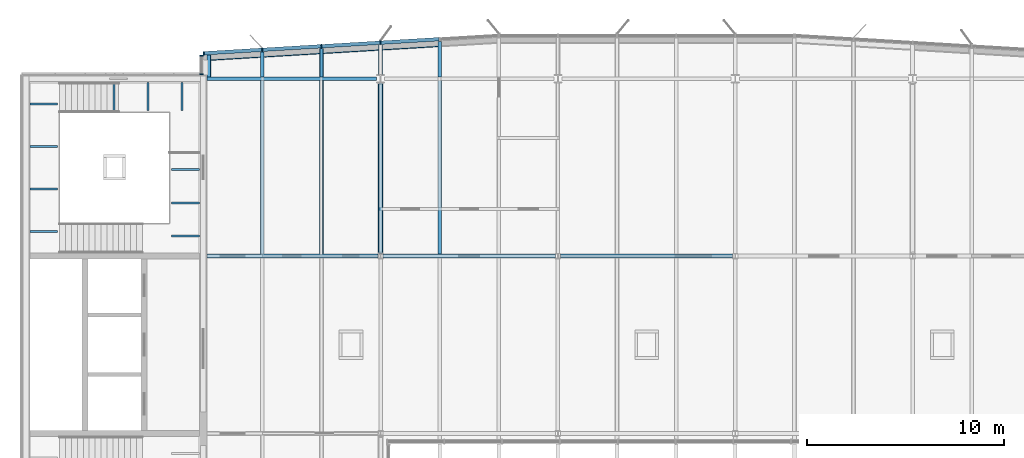
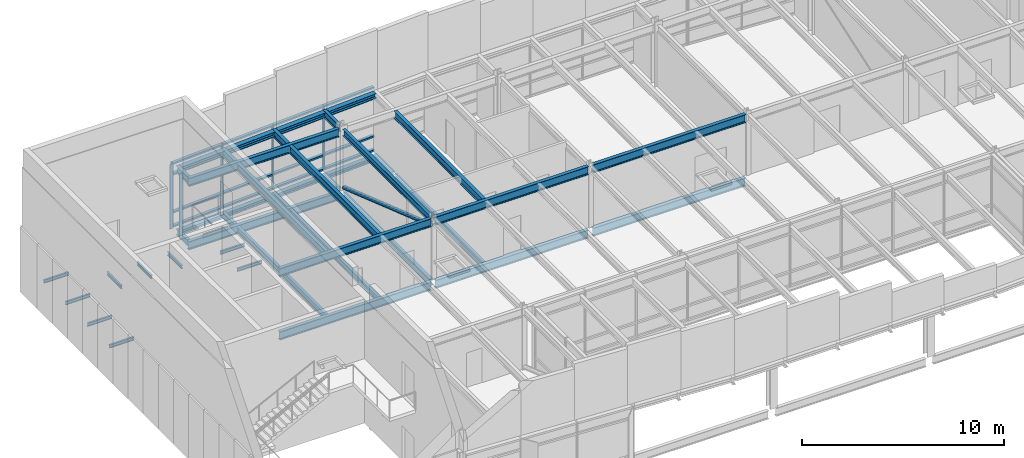
# One storey, part 4 of 23: 43 beams, 23 members, 2 elements without a shape of their own.
"""IFC4 building model written with IfcOpenShell, lengths in metres."""

from ifc_helpers import new_model, si_unit, direction, frame, origin, origin_2d, place, context, subcontext, project, spatial, rectangle, hollow_circle, i_section, extrude, material, material_profile, profile_set, type_object, element, aggregate, save


model = new_model("IFC4")

# Units and contexts
model_context = context("Model", 3, precision=1e-05, world=origin(), true_north=direction((0.0, 1.0)))
body_context = subcontext(model_context, "Body", "Model", "MODEL_VIEW")
ifc_project = project(units=[si_unit("LENGTHUNIT", "METRE"), si_unit("AREAUNIT", "SQUARE_METRE"), si_unit("VOLUMEUNIT", "CUBIC_METRE"), si_unit("PLANEANGLEUNIT", "RADIAN"), si_unit("MASSUNIT", "GRAM", prefix="KILO")], contexts=[model_context])

# Site, building, storey
site_placement = place(None, origin())
site = spatial("IfcSite", under=ifc_project, at=site_placement, CompositionType="ELEMENT")
building_placement = place(site_placement, origin())
building = spatial("IfcBuilding", under=site, at=building_placement, Name="Azimuth Sports and Learning Centre", CompositionType="ELEMENT")
storey_placement = place(building_placement, frame((0.0, 0.0, 75.300048828125)))
storey = spatial("IfcBuildingStorey", under=building, at=storey_placement, Name="L17", CompositionType="ELEMENT", Elevation=75.300048828125)

# Beams
ifc_material_1 = material(Name="Steel S355", Category="steel")
ifc_material_profile_1 = material_profile(ifc_material_1, i_section(OverallWidth=0.10009765625, OverallDepth=0.199951171875, WebThickness=0.005615234375, FlangeThickness=0.008544921875, FilletRadius=0.011962890625, at=origin_2d()), Name="IPE 200")
ifc_profile_set_1 = profile_set([ifc_material_profile_1], Name="Steel S355")
beam_type_1 = type_object("IfcBeamType", Name="Beam IPE 200", PredefinedType="BEAM", material=ifc_profile_set_1)
for number, where, z_axis, x_axis, name in (
    (1, (58.473388671875, 116.800048828125, -0.300048828125), (0.0, -1.0, 0.0), (1.0, 0.0, 0.0), "Landing bracket W2 L17 347"),
    (2, (60.199951171875, 116.800048828125, -0.300048828125), (0.0, -1.0, 0.0), (1.0, 0.0, 0.0), "Landing bracket W2 L17 348"),
    (3, (61.9267578125, 116.800048828125, -0.300048828125), (0.0, -1.0, 0.0), (1.0, 0.0, 0.0), "Landing bracket W2 L17 349"),
    (4, (54.199951171875, 109.23876953125, 1.349853515625), (1.0, 0.0, 0.0), (0.0, 1.0, 0.0), "Landing bracket W2 L17 350"),
    (5, (54.199951171875, 111.396240234375, 1.349853515625), (1.0, 0.0, 0.0), (0.0, 1.0, 0.0), "Landing bracket W2 L17 351"),
    (6, (54.199951171875, 113.5537109375, 1.349853515625), (1.0, 0.0, 0.0), (0.0, 1.0, 0.0), "Landing bracket W2 L17 352"),
    (7, (54.199951171875, 115.711181640625, 1.349853515625), (1.0, 0.0, 0.0), (0.0, 1.0, 0.0), "Landing bracket W2 L17 353"),
    (8, (62.800048828125, 109.00830078125, 3.599853515625), (-1.0, 0.0, 0.0), (0.0, -1.0, 0.0), "Landing bracket W2 L17 354"),
    (9, (62.800048828125, 110.705078125, 3.599853515625), (-1.0, 0.0, 0.0), (0.0, -1.0, 0.0), "Landing bracket W2 L17 355"),
    (10, (62.800048828125, 112.401611328125, 3.599853515625), (-1.0, 0.0, 0.0), (0.0, -1.0, 0.0), "Landing bracket W2 L17 356"),
):
    element("IfcBeam", number, at=place(storey_placement, frame(where, z_axis=z_axis, x_axis=x_axis)), inside=storey, type_object=beam_type_1, Name=name, PredefinedType="BEAM", context=body_context, shape_type="SweptSolid", body=[
        extrude(i_section(OverallWidth=0.10009765625, OverallDepth=0.199951171875, WebThickness=0.005615234375, FlangeThickness=0.008544921875, FilletRadius=0.011962890625, at=origin_2d()), origin(), (0.0, 0.0, 1.0), 1.41015625),
    ])
ifc_material_2 = material(Name="Steel S355", Category="steel")
ifc_material_profile_2 = material_profile(ifc_material_2, i_section(OverallWidth=0.179931640625, OverallDepth=0.39990234375, WebThickness=0.008544921875, FlangeThickness=0.013427734375, FilletRadius=0.02099609375, at=origin_2d()), Name="IPE 400")
ifc_profile_set_2 = profile_set([ifc_material_profile_2], Name="Steel S355")
beam_type_2 = type_object("IfcBeamType", Name="Beam IPE 400", PredefinedType="BEAM", material=ifc_profile_set_2)
for number, where, z_axis, x_axis, name in (
    (11, (72.0, 108.1298828125, -0.330078125), (0.0, 1.0, 0.0), (-1.0, 0.0, 0.0), "Tower tie"),
    (12, (72.0, 108.1298828125, 3.5), (0.0, 1.0, 0.0), (-1.0, 0.0, 0.0), "Roof tie"),
):
    element("IfcBeam", number, at=place(storey_placement, frame(where, z_axis=z_axis, x_axis=x_axis)), inside=storey, type_object=beam_type_2, Name=name, PredefinedType="BEAM", context=body_context, shape_type="SweptSolid", body=[
        extrude(i_section(OverallWidth=0.179931640625, OverallDepth=0.39990234375, WebThickness=0.008544921875, FlangeThickness=0.013427734375, FilletRadius=0.02099609375, at=origin_2d()), origin(), (0.0, 0.0, 1.0), 8.652587890625),
    ])
ifc_material_3 = material(Name="Steel S355", Category="steel")
ifc_material_profile_3 = material_profile(ifc_material_3, i_section(OverallWidth=0.199951171875, OverallDepth=0.5, WebThickness=0.01025390625, FlangeThickness=0.01611328125, FilletRadius=0.02099609375, at=origin_2d()), Name="IPE 500")
ifc_profile_set_3 = profile_set([ifc_material_profile_3], Name="Steel S355")
beam_type_3 = type_object("IfcBeamType", Name="Beam IPE 500", PredefinedType="BEAM", material=ifc_profile_set_3)
beam_1_placement = place(storey_placement, frame((63.199951171875, 108.0, -0.380126953125), z_axis=(1.0, 0.0, 0.0), x_axis=(0.0, 1.0, 0.0)))
element("IfcBeam", 13, at=beam_1_placement, inside=storey, type_object=beam_type_3, Name="Tower girder L17", PredefinedType="BEAM", context=body_context, shape_type="SweptSolid", body=[
    extrude(i_section(OverallWidth=0.199951171875, OverallDepth=0.5, WebThickness=0.01025390625, FlangeThickness=0.01611328125, FilletRadius=0.02099609375, at=origin_2d()), origin(), (0.0, 0.0, 1.0), 8.670166015625),
])
for number, where, z_axis, x_axis, name in (
    (14, (72.1298828125, 108.0, -0.380126953125), (1.0, 0.0, 0.0), (0.0, 1.0, 0.0), "Tower girder L17"),
    (15, (81.1298828125, 108.0, -0.380126953125), (1.0, 0.0, 0.0), (0.0, 1.0, 0.0), "Tower girder L17"),
):
    element("IfcBeam", number, at=place(storey_placement, frame(where, z_axis=z_axis, x_axis=x_axis)), inside=storey, type_object=beam_type_3, Name=name, PredefinedType="BEAM", context=body_context, shape_type="SweptSolid", body=[
        extrude(i_section(OverallWidth=0.199951171875, OverallDepth=0.5, WebThickness=0.01025390625, FlangeThickness=0.01611328125, FilletRadius=0.02099609375, at=origin_2d()), origin(), (0.0, 0.0, 1.0), 8.740234375),
    ])
beam_2_placement = place(storey_placement, frame((63.199951171875, 117.0, -0.380126953125), z_axis=(1.0, 0.0, 0.0), x_axis=(0.0, 1.0, 0.0)))
element("IfcBeam", 16, at=beam_2_placement, inside=storey, type_object=beam_type_3, Name="Tower girder L17", PredefinedType="BEAM", context=body_context, shape_type="SweptSolid", body=[
    extrude(i_section(OverallWidth=0.199951171875, OverallDepth=0.5, WebThickness=0.01025390625, FlangeThickness=0.01611328125, FilletRadius=0.02099609375, at=origin_2d()), origin(), (0.0, 0.0, 1.0), 8.593994140625),
])
beam_3_placement = place(storey_placement, frame((63.199951171875, 108.0, 3.449951171875), z_axis=(1.0, 0.0, 0.0), x_axis=(0.0, 1.0, 0.0)))
element("IfcBeam", 17, at=beam_3_placement, inside=storey, type_object=beam_type_3, Name="Roof girder", PredefinedType="BEAM", context=body_context, shape_type="SweptSolid", body=[
    extrude(i_section(OverallWidth=0.199951171875, OverallDepth=0.5, WebThickness=0.01025390625, FlangeThickness=0.01611328125, FilletRadius=0.02099609375, at=origin_2d()), origin(), (0.0, 0.0, 1.0), 8.670166015625),
])
for number, where, z_axis, x_axis, name in (
    (18, (72.1298828125, 108.0, 3.449951171875), (1.0, 0.0, 0.0), (0.0, 1.0, 0.0), "Roof girder"),
    (19, (81.1298828125, 108.0, 3.449951171875), (1.0, 0.0, 0.0), (0.0, 1.0, 0.0), "Roof girder"),
):
    element("IfcBeam", number, at=place(storey_placement, frame(where, z_axis=z_axis, x_axis=x_axis)), inside=storey, type_object=beam_type_3, Name=name, PredefinedType="BEAM", context=body_context, shape_type="SweptSolid", body=[
        extrude(i_section(OverallWidth=0.199951171875, OverallDepth=0.5, WebThickness=0.01025390625, FlangeThickness=0.01611328125, FilletRadius=0.02099609375, at=origin_2d()), origin(), (0.0, 0.0, 1.0), 8.740234375),
    ])
beam_4_placement = place(storey_placement, frame((63.199951171875, 117.0, 3.449951171875), z_axis=(1.0, 0.0, 0.0), x_axis=(0.0, 1.0, 0.0)))
element("IfcBeam", 20, at=beam_4_placement, inside=storey, type_object=beam_type_3, Name="Roof girder", PredefinedType="BEAM", context=body_context, shape_type="SweptSolid", body=[
    extrude(i_section(OverallWidth=0.199951171875, OverallDepth=0.5, WebThickness=0.01025390625, FlangeThickness=0.01611328125, FilletRadius=0.02099609375, at=origin_2d()), origin(), (0.0, 0.0, 1.0), 8.593994140625),
])

# Member
ifc_material_4 = material(Name="Steel S355", Category="steel")
ifc_material_profile_4 = material_profile(ifc_material_4, hollow_circle(Radius=0.122314453125, WallThickness=0.012451171875, at=origin_2d()), Name="CHS 244.5x12.5")
ifc_profile_set_4 = profile_set([ifc_material_profile_4], Name="Steel S355")
member_type_1 = type_object("IfcMemberType", Name="Brace CHS 244.5x12.5", PredefinedType="BRACE", material=ifc_profile_set_4)
member_1_placement = place(storey_placement, frame((72.0, 108.149658203125, 3.130859375), z_axis=(0.0, 0.945646677599, -0.325195881194), x_axis=(-1.0, 0.0, 0.0)))
element("IfcMember", 21, at=member_1_placement, inside=storey, type_object=member_type_1, Name="Tower brace 9 L17", PredefinedType="BRACE", context=body_context, shape_type="SweptSolid", body=[
    extrude(hollow_circle(Radius=0.122314453125, WallThickness=0.012451171875, at=origin_2d()), origin(), (0.0, 0.0, 1.0), 9.108154296875),
])

# Beams
ifc_material_5 = material(Name="Steel S355", Category="steel")
ifc_material_profile_5 = material_profile(ifc_material_5, i_section(OverallWidth=0.169921875, OverallDepth=0.360107421875, WebThickness=0.008056640625, FlangeThickness=0.0126953125, FilletRadius=0.01806640625, at=origin_2d()), Name="IPE 360")
ifc_profile_set_5 = profile_set([ifc_material_profile_5], Name="Steel S355")
beam_type_4 = type_object("IfcBeamType", Name="Cantilever stub IPE 360", PredefinedType="JOIST", material=ifc_profile_set_5)
beam_5_placement = place(storey_placement, frame((63.284912109375, 117.10009765625, -0.31005859375), z_axis=(0.0, 1.0, 0.0), x_axis=(-1.0, 0.0, 0.0)))
element("IfcBeam", 22, at=beam_5_placement, inside=storey, type_object=beam_type_4, Name="Tower cantilever stub", PredefinedType="JOIST", context=body_context, shape_type="SweptSolid", body=[
    extrude(i_section(OverallWidth=0.169921875, OverallDepth=0.360107421875, WebThickness=0.008056640625, FlangeThickness=0.0126953125, FilletRadius=0.01806640625, at=origin_2d()), origin(), (0.0, 0.0, 1.0), 1.096923828125),
])
beam_6_placement = place(storey_placement, frame((66.0, 117.10009765625, -0.31005859375), z_axis=(0.0, 1.0, 0.0), x_axis=(-1.0, 0.0, 0.0)))
element("IfcBeam", 23, at=beam_6_placement, inside=storey, type_object=beam_type_4, Name="Tower cantilever stub", PredefinedType="JOIST", context=body_context, shape_type="SweptSolid", body=[
    extrude(i_section(OverallWidth=0.169921875, OverallDepth=0.360107421875, WebThickness=0.008056640625, FlangeThickness=0.0126953125, FilletRadius=0.01806640625, at=origin_2d()), origin(), (0.0, 0.0, 1.0), 1.260009765625),
])
beam_7_placement = place(storey_placement, frame((69.0, 117.10009765625, -0.31005859375), z_axis=(0.0, 1.0, 0.0), x_axis=(-1.0, 0.0, 0.0)))
element("IfcBeam", 24, at=beam_7_placement, inside=storey, type_object=beam_type_4, Name="Tower cantilever stub", PredefinedType="JOIST", context=body_context, shape_type="SweptSolid", body=[
    extrude(i_section(OverallWidth=0.169921875, OverallDepth=0.360107421875, WebThickness=0.008056640625, FlangeThickness=0.0126953125, FilletRadius=0.01806640625, at=origin_2d()), origin(), (0.0, 0.0, 1.0), 1.43994140625),
])
beam_8_placement = place(storey_placement, frame((72.0, 117.217529296875, -0.31005859375), z_axis=(0.0, 1.0, 0.0), x_axis=(-1.0, 0.0, 0.0)))
element("IfcBeam", 25, at=beam_8_placement, inside=storey, type_object=beam_type_4, Name="Tower cantilever stub", PredefinedType="JOIST", context=body_context, shape_type="SweptSolid", body=[
    extrude(i_section(OverallWidth=0.169921875, OverallDepth=0.360107421875, WebThickness=0.008056640625, FlangeThickness=0.0126953125, FilletRadius=0.01806640625, at=origin_2d()), origin(), (0.0, 0.0, 1.0), 1.50244140625),
])
beam_9_placement = place(storey_placement, frame((75.0, 117.10009765625, -0.31005859375), z_axis=(0.0, 1.0, 0.0), x_axis=(-1.0, 0.0, 0.0)))
element("IfcBeam", 26, at=beam_9_placement, inside=storey, type_object=beam_type_4, Name="Tower cantilever stub", PredefinedType="JOIST", context=body_context, shape_type="SweptSolid", body=[
    extrude(i_section(OverallWidth=0.169921875, OverallDepth=0.360107421875, WebThickness=0.008056640625, FlangeThickness=0.0126953125, FilletRadius=0.01806640625, at=origin_2d()), origin(), (0.0, 0.0, 1.0), 1.7998046875),
])
ifc_material_6 = material(Name="Steel S355", Category="steel")
ifc_material_profile_6 = material_profile(ifc_material_6, i_section(OverallWidth=0.18994140625, OverallDepth=0.449951171875, WebThickness=0.009521484375, FlangeThickness=0.0146484375, FilletRadius=0.02099609375, at=origin_2d()), Name="IPE 450")
ifc_profile_set_6 = profile_set([ifc_material_profile_6], Name="Steel S355")
beam_type_5 = type_object("IfcBeamType", Name="Cantilever stub IPE 450", PredefinedType="JOIST", material=ifc_profile_set_6)
beam_10_placement = place(storey_placement, frame((63.294921875, 117.10009765625, 3.474853515625), z_axis=(0.0, 1.0, 0.0), x_axis=(-1.0, 0.0, 0.0)))
element("IfcBeam", 27, at=beam_10_placement, inside=storey, type_object=beam_type_5, Name="Roof cantilever stub", PredefinedType="JOIST", context=body_context, shape_type="SweptSolid", body=[
    extrude(i_section(OverallWidth=0.18994140625, OverallDepth=0.449951171875, WebThickness=0.009521484375, FlangeThickness=0.0146484375, FilletRadius=0.02099609375, at=origin_2d()), origin(), (0.0, 0.0, 1.0), 1.09765625),
])
beam_11_placement = place(storey_placement, frame((66.0, 117.10009765625, 3.474853515625), z_axis=(0.0, 1.0, 0.0), x_axis=(-1.0, 0.0, 0.0)))
element("IfcBeam", 28, at=beam_11_placement, inside=storey, type_object=beam_type_5, Name="Roof cantilever stub", PredefinedType="JOIST", context=body_context, shape_type="SweptSolid", body=[
    extrude(i_section(OverallWidth=0.18994140625, OverallDepth=0.449951171875, WebThickness=0.009521484375, FlangeThickness=0.0146484375, FilletRadius=0.02099609375, at=origin_2d()), origin(), (0.0, 0.0, 1.0), 1.260009765625),
])
beam_12_placement = place(storey_placement, frame((69.0, 117.10009765625, 3.474853515625), z_axis=(0.0, 1.0, 0.0), x_axis=(-1.0, 0.0, 0.0)))
element("IfcBeam", 29, at=beam_12_placement, inside=storey, type_object=beam_type_5, Name="Roof cantilever stub", PredefinedType="JOIST", context=body_context, shape_type="SweptSolid", body=[
    extrude(i_section(OverallWidth=0.18994140625, OverallDepth=0.449951171875, WebThickness=0.009521484375, FlangeThickness=0.0146484375, FilletRadius=0.02099609375, at=origin_2d()), origin(), (0.0, 0.0, 1.0), 1.43994140625),
])
beam_13_placement = place(storey_placement, frame((72.0, 117.217529296875, 3.474853515625), z_axis=(0.0, 1.0, 0.0), x_axis=(-1.0, 0.0, 0.0)))
element("IfcBeam", 30, at=beam_13_placement, inside=storey, type_object=beam_type_5, Name="Roof cantilever stub", PredefinedType="JOIST", context=body_context, shape_type="SweptSolid", body=[
    extrude(i_section(OverallWidth=0.18994140625, OverallDepth=0.449951171875, WebThickness=0.009521484375, FlangeThickness=0.0146484375, FilletRadius=0.02099609375, at=origin_2d()), origin(), (0.0, 0.0, 1.0), 1.50244140625),
])
ifc_material_7 = material(Name="Steel S355", Category="steel")
ifc_material_profile_7 = material_profile(ifc_material_7, i_section(OverallWidth=0.260009765625, OverallDepth=0.25, WebThickness=0.007568359375, FlangeThickness=0.012451171875, FilletRadius=0.02392578125, at=origin_2d()), Name="HEA 260")
ifc_profile_set_7 = profile_set([ifc_material_profile_7], Name="Steel S355")
beam_type_6 = type_object("IfcBeamType", Name="Edge beam HEA 260", PredefinedType="SPANDREL", material=ifc_profile_set_7)
beam_14_placement = place(storey_placement, frame((63.3701171875, 118.072265625, -0.255126953125), z_axis=(0.998207363591, 0.059850307199, 0.0), x_axis=(-0.059850307199, 0.998207363591, 0.0)))
element("IfcBeam", 31, at=beam_14_placement, inside=storey, type_object=beam_type_6, Name="Tower edge beam", PredefinedType="SPANDREL", context=body_context, shape_type="SweptSolid", body=[
    extrude(i_section(OverallWidth=0.260009765625, OverallDepth=0.25, WebThickness=0.007568359375, FlangeThickness=0.012451171875, FilletRadius=0.02392578125, at=origin_2d()), origin(), (0.0, 0.0, 1.0), 2.549560546875),
])
for number, where, z_axis, x_axis, name in (
    (32, (66.0849609375, 118.235107421875, -0.255126953125), (0.998207521518, 0.059847673176, 0.0), (-0.059847673176, 0.998207521518, 0.0), "Tower edge beam"),
    (33, (69.0849609375, 118.4150390625, -0.255126953125), (0.998202373506, 0.059933475842, 0.0), (-0.059933475842, 0.998202373506, 0.0), "Tower edge beam"),
    (34, (72.0849609375, 118.59521484375, -0.255126953125), (0.998207521518, 0.059847673176, 0.0), (-0.059847673176, 0.998207521518, 0.0), "Tower edge beam"),
):
    element("IfcBeam", number, at=place(storey_placement, frame(where, z_axis=z_axis, x_axis=x_axis)), inside=storey, type_object=beam_type_6, Name=name, PredefinedType="SPANDREL", context=body_context, shape_type="SweptSolid", body=[
        extrude(i_section(OverallWidth=0.260009765625, OverallDepth=0.25, WebThickness=0.007568359375, FlangeThickness=0.012451171875, FilletRadius=0.02392578125, at=origin_2d()), origin(), (0.0, 0.0, 1.0), 2.835205078125),
    ])
ifc_material_8 = material(Name="Steel S355", Category="steel")
ifc_material_profile_8 = material_profile(ifc_material_8, i_section(OverallWidth=0.280029296875, OverallDepth=0.27001953125, WebThickness=0.008056640625, FlangeThickness=0.012939453125, FilletRadius=0.02392578125, at=origin_2d()), Name="HEA 280")
ifc_profile_set_8 = profile_set([ifc_material_profile_8], Name="Steel S355")
beam_type_7 = type_object("IfcBeamType", Name="Edge beam HEA 280", PredefinedType="SPANDREL", material=ifc_profile_set_8)
beam_15_placement = place(storey_placement, frame((63.389892578125, 118.0634765625, 3.56494140625), z_axis=(0.998205540535, 0.059880705111, 0.0), x_axis=(-0.059880705111, 0.998205540535, 0.0)))
element("IfcBeam", 35, at=beam_15_placement, inside=storey, type_object=beam_type_7, Name="Roof edge beam", PredefinedType="SPANDREL", context=body_context, shape_type="SweptSolid", body=[
    extrude(i_section(OverallWidth=0.280029296875, OverallDepth=0.27001953125, WebThickness=0.008056640625, FlangeThickness=0.012939453125, FilletRadius=0.02392578125, at=origin_2d()), origin(), (0.0, 0.0, 1.0), 2.519775390625),
])
for number, where, z_axis, x_axis, name in (
    (36, (66.094970703125, 118.2255859375, 3.56494140625), (0.998202770938, 0.059926856187, 0.0), (-0.059926856187, 0.998202770938, 0.0), "Roof edge beam"),
    (37, (69.094970703125, 118.40576171875, 3.56494140625), (0.99820795503, 0.059840442135, 0.0), (-0.059840442135, 0.99820795503, 0.0), "Roof edge beam"),
    (38, (72.094970703125, 118.585693359375, 3.56494140625), (0.998202770938, 0.059926856187, 0.0), (-0.059926856187, 0.998202770938, 0.0), "Roof edge beam"),
):
    element("IfcBeam", number, at=place(storey_placement, frame(where, z_axis=z_axis, x_axis=x_axis)), inside=storey, type_object=beam_type_7, Name=name, PredefinedType="SPANDREL", context=body_context, shape_type="SweptSolid", body=[
        extrude(i_section(OverallWidth=0.280029296875, OverallDepth=0.27001953125, WebThickness=0.008056640625, FlangeThickness=0.012939453125, FilletRadius=0.02392578125, at=origin_2d()), origin(), (0.0, 0.0, 1.0), 2.815185546875),
    ])
ifc_material_9 = material(Name="Steel S355", Category="steel")
ifc_material_profile_9 = material_profile(ifc_material_9, i_section(OverallWidth=0.169921875, OverallDepth=0.360107421875, WebThickness=0.008056640625, FlangeThickness=0.0126953125, FilletRadius=0.01806640625, at=origin_2d()), Name="IPE 360")
ifc_profile_set_9 = profile_set([ifc_material_profile_9], Name="Steel S355")
beam_type_8 = type_object("IfcBeamType", Name="Joist IPE 360", PredefinedType="JOIST", material=ifc_profile_set_9)
for number, where, z_axis, x_axis, name in (
    (39, (66.0, 108.10009765625, -0.31005859375), (0.0, 1.0, 0.0), (-1.0, 0.0, 0.0), "Tower joist"),
    (40, (69.0, 108.10009765625, -0.31005859375), (0.0, 1.0, 0.0), (-1.0, 0.0, 0.0), "Tower joist"),
    (41, (75.0, 108.10009765625, -0.31005859375), (0.0, 1.0, 0.0), (-1.0, 0.0, 0.0), "Tower joist"),
):
    element("IfcBeam", number, at=place(storey_placement, frame(where, z_axis=z_axis, x_axis=x_axis)), inside=storey, type_object=beam_type_8, Name=name, PredefinedType="JOIST", context=body_context, shape_type="SweptSolid", body=[
        extrude(i_section(OverallWidth=0.169921875, OverallDepth=0.360107421875, WebThickness=0.008056640625, FlangeThickness=0.0126953125, FilletRadius=0.01806640625, at=origin_2d()), origin(), (0.0, 0.0, 1.0), 8.7998046875),
    ])
ifc_material_10 = material(Name="Steel S355", Category="steel")
ifc_material_profile_10 = material_profile(ifc_material_10, i_section(OverallWidth=0.18994140625, OverallDepth=0.449951171875, WebThickness=0.009521484375, FlangeThickness=0.0146484375, FilletRadius=0.02099609375, at=origin_2d()), Name="IPE 450")
ifc_profile_set_10 = profile_set([ifc_material_profile_10], Name="Steel S355")
beam_type_9 = type_object("IfcBeamType", Name="Joist IPE 450", PredefinedType="JOIST", material=ifc_profile_set_10)
for number, where, z_axis, x_axis, name in (
    (42, (66.0, 108.10009765625, 3.474853515625), (0.0, 1.0, 0.0), (-1.0, 0.0, 0.0), "Roof joist"),
    (43, (69.0, 108.10009765625, 3.474853515625), (0.0, 1.0, 0.0), (-1.0, 0.0, 0.0), "Roof joist"),
    (44, (75.0, 108.10009765625, 3.474853515625), (0.0, 1.0, 0.0), (-1.0, 0.0, 0.0), "Roof joist"),
):
    element("IfcBeam", number, at=place(storey_placement, frame(where, z_axis=z_axis, x_axis=x_axis)), inside=storey, type_object=beam_type_9, Name=name, PredefinedType="JOIST", context=body_context, shape_type="SweptSolid", body=[
        extrude(i_section(OverallWidth=0.18994140625, OverallDepth=0.449951171875, WebThickness=0.009521484375, FlangeThickness=0.0146484375, FilletRadius=0.02099609375, at=origin_2d()), origin(), (0.0, 0.0, 1.0), 8.7998046875),
    ])

# Curtain wall, members
ifc_material_11 = material(Name="Aluminium and glass", Category="aluminium")
curtain_wall_type_1 = type_object("IfcCurtainWallType", Name="Curtain wall tower north 180", PredefinedType="NOTDEFINED", material=ifc_material_11)
curtain_wall_1_placement = place(storey_placement, origin())
curtain_wall_1 = element("IfcCurtainWall", 45, at=curtain_wall_1_placement, inside=storey, type_object=curtain_wall_type_1, Name="Curtain wall CW17-011", PredefinedType="NOTDEFINED")
ifc_material_12 = material(Name="Aluminium", Category="aluminium")
ifc_material_profile_11 = material_profile(ifc_material_12, rectangle(XDim=0.179931640625, YDim=0.06005859375, at=origin_2d()), Name="Mullion 60x180")
ifc_profile_set_11 = profile_set([ifc_material_profile_11], Name="Aluminium")
member_type_2 = type_object("IfcMemberType", Name="Mullion 60x180", PredefinedType="MULLION", material=ifc_profile_set_11)
member_2_placement = place(storey_placement, frame((71.99462890625, 118.829833984375, 0.0), z_axis=(0.0, 0.0, 1.0), x_axis=(0.059891991812, -0.998204863401, 0.0)))
member_2 = element("IfcMember", 46, at=member_2_placement, type_object=member_type_2, Name="CW17-011 mullion 3", PredefinedType="MULLION", context=body_context, shape_type="SweptSolid", body=[
    extrude(rectangle(XDim=0.179931640625, YDim=0.06005859375, at=origin_2d()), origin(), (0.0, 0.0, 1.0), 3.89990234375),
])
member_3_placement = place(storey_placement, frame((68.99462890625, 118.64990234375, 0.0), z_axis=(0.0, 0.0, 1.0), x_axis=(0.059891991812, -0.998204863401, 0.0)))
member_3 = element("IfcMember", 47, at=member_3_placement, type_object=member_type_2, Name="CW17-011 mullion 4", PredefinedType="MULLION", context=body_context, shape_type="SweptSolid", body=[
    extrude(rectangle(XDim=0.179931640625, YDim=0.06005859375, at=origin_2d()), origin(), (0.0, 0.0, 1.0), 3.89990234375),
])
member_4_placement = place(storey_placement, frame((65.99462890625, 118.4697265625, 0.0), z_axis=(0.0, 0.0, 1.0), x_axis=(0.059891991812, -0.998204863401, 0.0)))
member_4 = element("IfcMember", 48, at=member_4_placement, type_object=member_type_2, Name="CW17-011 mullion 5", PredefinedType="MULLION", context=body_context, shape_type="SweptSolid", body=[
    extrude(rectangle(XDim=0.179931640625, YDim=0.06005859375, at=origin_2d()), origin(), (0.0, 0.0, 1.0), 3.89990234375),
])
member_5_placement = place(storey_placement, frame((63.024658203125, 118.291748046875, 0.0), z_axis=(0.0, 0.0, 1.0), x_axis=(0.059891991812, -0.998204863401, 0.0)))
member_5 = element("IfcMember", 49, at=member_5_placement, type_object=member_type_2, Name="CW17-011 mullion 6", PredefinedType="MULLION", context=body_context, shape_type="SweptSolid", body=[
    extrude(rectangle(XDim=0.179931640625, YDim=0.06005859375, at=origin_2d()), origin(), (0.0, 0.0, 1.0), 3.89990234375),
])

ifc_material_13 = material(Name="Aluminium and glass", Category="aluminium")
curtain_wall_type_2 = type_object("IfcCurtainWallType", Name="Curtain wall tower return 180", PredefinedType="NOTDEFINED", material=ifc_material_13)
curtain_wall_2_placement = place(storey_placement, origin())
curtain_wall_2 = element("IfcCurtainWall", 50, at=curtain_wall_2_placement, inside=storey, type_object=curtain_wall_type_2, Name="Curtain wall CW17-012", PredefinedType="NOTDEFINED")
member_6_placement = place(storey_placement, frame((62.909912109375, 118.169921875, 0.0), z_axis=(0.0, 0.0, 1.0), x_axis=(1.0, 0.0, 0.0)))
member_6 = element("IfcMember", 51, at=member_6_placement, type_object=member_type_2, Name="CW17-012 mullion 1", PredefinedType="MULLION", context=body_context, shape_type="SweptSolid", body=[
    extrude(rectangle(XDim=0.179931640625, YDim=0.06005859375, at=origin_2d()), origin(), (0.0, 0.0, 1.0), 3.89990234375),
])
member_7_placement = place(storey_placement, frame((62.909912109375, 117.22998046875, 0.0), z_axis=(0.0, 0.0, 1.0), x_axis=(1.0, 0.0, 0.0)))
member_7 = element("IfcMember", 52, at=member_7_placement, type_object=member_type_2, Name="CW17-012 mullion 2", PredefinedType="MULLION", context=body_context, shape_type="SweptSolid", body=[
    extrude(rectangle(XDim=0.179931640625, YDim=0.06005859375, at=origin_2d()), origin(), (0.0, 0.0, 1.0), 3.89990234375),
])
aggregate(curtain_wall_2, [member_6, member_7])

# Member
ifc_material_14 = material(Name="Aluminium", Category="aluminium")
ifc_material_profile_12 = material_profile(ifc_material_14, rectangle(XDim=0.179931640625, YDim=0.10009765625, at=origin_2d()), Name="Transom 100x180")
ifc_profile_set_12 = profile_set([ifc_material_profile_12], Name="Aluminium")
member_type_3 = type_object("IfcMemberType", Name="Transom 100x180", PredefinedType="USERDEFINED", material=ifc_profile_set_12)
member_8_placement = place(storey_placement, frame((74.964599609375, 119.008056640625, 0.050048828125), z_axis=(-0.998202465912, -0.059931936792, 0.0), x_axis=(0.059931936792, -0.998202465912, 0.0)))
member_8 = element("IfcMember", 53, at=member_8_placement, type_object=member_type_3, Name="CW17-011 transom 2.1", ObjectType="TRANSOM", PredefinedType="USERDEFINED", context=body_context, shape_type="SweptSolid", body=[
    extrude(rectangle(XDim=0.179931640625, YDim=0.10009765625, at=origin_2d()), origin(), (0.0, 0.0, 1.0), 2.9453125),
])

member_9_placement = place(storey_placement, frame((74.964599609375, 119.008056640625, 0.89990234375), z_axis=(-0.998202465912, -0.059931936792, 0.0), x_axis=(0.059931936792, -0.998202465912, 0.0)))
member_9 = element("IfcMember", 54, at=member_9_placement, type_object=member_type_3, Name="CW17-011 transom 2.2", ObjectType="TRANSOM", PredefinedType="USERDEFINED", context=body_context, shape_type="SweptSolid", body=[
    extrude(rectangle(XDim=0.179931640625, YDim=0.10009765625, at=origin_2d()), origin(), (0.0, 0.0, 1.0), 2.9453125),
])

member_10_placement = place(storey_placement, frame((74.964599609375, 119.008056640625, 3.199951171875), z_axis=(-0.998202465912, -0.059931936792, 0.0), x_axis=(0.059931936792, -0.998202465912, 0.0)))
member_10 = element("IfcMember", 55, at=member_10_placement, type_object=member_type_3, Name="CW17-011 transom 2.3", ObjectType="TRANSOM", PredefinedType="USERDEFINED", context=body_context, shape_type="SweptSolid", body=[
    extrude(rectangle(XDim=0.179931640625, YDim=0.10009765625, at=origin_2d()), origin(), (0.0, 0.0, 1.0), 2.9453125),
])

member_11_placement = place(storey_placement, frame((74.964599609375, 119.008056640625, 3.849853515625), z_axis=(-0.998202465912, -0.059931936792, 0.0), x_axis=(0.059931936792, -0.998202465912, 0.0)))
member_11 = element("IfcMember", 56, at=member_11_placement, type_object=member_type_3, Name="CW17-011 transom 2.4", ObjectType="TRANSOM", PredefinedType="USERDEFINED", context=body_context, shape_type="SweptSolid", body=[
    extrude(rectangle(XDim=0.179931640625, YDim=0.10009765625, at=origin_2d()), origin(), (0.0, 0.0, 1.0), 2.9453125),
])

member_12_placement = place(storey_placement, frame((71.964599609375, 118.828125, 0.050048828125), z_axis=(-0.998202465912, -0.059931936792, 0.0), x_axis=(0.059931936792, -0.998202465912, 0.0)))
member_12 = element("IfcMember", 57, at=member_12_placement, type_object=member_type_3, Name="CW17-011 transom 3.1", ObjectType="TRANSOM", PredefinedType="USERDEFINED", context=body_context, shape_type="SweptSolid", body=[
    extrude(rectangle(XDim=0.179931640625, YDim=0.10009765625, at=origin_2d()), origin(), (0.0, 0.0, 1.0), 2.9453125),
])

member_13_placement = place(storey_placement, frame((71.964599609375, 118.828125, 0.89990234375), z_axis=(-0.998202465912, -0.059931936792, 0.0), x_axis=(0.059931936792, -0.998202465912, 0.0)))
member_13 = element("IfcMember", 58, at=member_13_placement, type_object=member_type_3, Name="CW17-011 transom 3.2", ObjectType="TRANSOM", PredefinedType="USERDEFINED", context=body_context, shape_type="SweptSolid", body=[
    extrude(rectangle(XDim=0.179931640625, YDim=0.10009765625, at=origin_2d()), origin(), (0.0, 0.0, 1.0), 2.9453125),
])

member_14_placement = place(storey_placement, frame((71.964599609375, 118.828125, 3.199951171875), z_axis=(-0.998202465912, -0.059931936792, 0.0), x_axis=(0.059931936792, -0.998202465912, 0.0)))
member_14 = element("IfcMember", 59, at=member_14_placement, type_object=member_type_3, Name="CW17-011 transom 3.3", ObjectType="TRANSOM", PredefinedType="USERDEFINED", context=body_context, shape_type="SweptSolid", body=[
    extrude(rectangle(XDim=0.179931640625, YDim=0.10009765625, at=origin_2d()), origin(), (0.0, 0.0, 1.0), 2.9453125),
])

member_15_placement = place(storey_placement, frame((71.964599609375, 118.828125, 3.849853515625), z_axis=(-0.998202465912, -0.059931936792, 0.0), x_axis=(0.059931936792, -0.998202465912, 0.0)))
member_15 = element("IfcMember", 60, at=member_15_placement, type_object=member_type_3, Name="CW17-011 transom 3.4", ObjectType="TRANSOM", PredefinedType="USERDEFINED", context=body_context, shape_type="SweptSolid", body=[
    extrude(rectangle(XDim=0.179931640625, YDim=0.10009765625, at=origin_2d()), origin(), (0.0, 0.0, 1.0), 2.9453125),
])

member_16_placement = place(storey_placement, frame((68.964599609375, 118.64794921875, 0.050048828125), z_axis=(-0.998207421552, -0.059849340505, 0.0), x_axis=(0.059849340505, -0.998207421552, 0.0)))
member_16 = element("IfcMember", 61, at=member_16_placement, type_object=member_type_3, Name="CW17-011 transom 4.1", ObjectType="TRANSOM", PredefinedType="USERDEFINED", context=body_context, shape_type="SweptSolid", body=[
    extrude(rectangle(XDim=0.179931640625, YDim=0.10009765625, at=origin_2d()), origin(), (0.0, 0.0, 1.0), 2.9453125),
])

member_17_placement = place(storey_placement, frame((68.964599609375, 118.64794921875, 0.89990234375), z_axis=(-0.998207421552, -0.059849340505, 0.0), x_axis=(0.059849340505, -0.998207421552, 0.0)))
member_17 = element("IfcMember", 62, at=member_17_placement, type_object=member_type_3, Name="CW17-011 transom 4.2", ObjectType="TRANSOM", PredefinedType="USERDEFINED", context=body_context, shape_type="SweptSolid", body=[
    extrude(rectangle(XDim=0.179931640625, YDim=0.10009765625, at=origin_2d()), origin(), (0.0, 0.0, 1.0), 2.9453125),
])

member_18_placement = place(storey_placement, frame((68.964599609375, 118.64794921875, 3.199951171875), z_axis=(-0.998207421552, -0.059849340505, 0.0), x_axis=(0.059849340505, -0.998207421552, 0.0)))
member_18 = element("IfcMember", 63, at=member_18_placement, type_object=member_type_3, Name="CW17-011 transom 4.3", ObjectType="TRANSOM", PredefinedType="USERDEFINED", context=body_context, shape_type="SweptSolid", body=[
    extrude(rectangle(XDim=0.179931640625, YDim=0.10009765625, at=origin_2d()), origin(), (0.0, 0.0, 1.0), 2.9453125),
])

member_19_placement = place(storey_placement, frame((68.964599609375, 118.64794921875, 3.849853515625), z_axis=(-0.998207421552, -0.059849340505, 0.0), x_axis=(0.059849340505, -0.998207421552, 0.0)))
member_19 = element("IfcMember", 64, at=member_19_placement, type_object=member_type_3, Name="CW17-011 transom 4.4", ObjectType="TRANSOM", PredefinedType="USERDEFINED", context=body_context, shape_type="SweptSolid", body=[
    extrude(rectangle(XDim=0.179931640625, YDim=0.10009765625, at=origin_2d()), origin(), (0.0, 0.0, 1.0), 2.9453125),
])

member_20_placement = place(storey_placement, frame((65.964599609375, 118.468017578125, 0.050048828125), z_axis=(-0.998205846627, -0.059875602377, 0.0), x_axis=(0.059875602377, -0.998205846627, 0.0)))
member_20 = element("IfcMember", 65, at=member_20_placement, type_object=member_type_3, Name="CW17-011 transom 5.1", ObjectType="TRANSOM", PredefinedType="USERDEFINED", context=body_context, shape_type="SweptSolid", body=[
    extrude(rectangle(XDim=0.179931640625, YDim=0.10009765625, at=origin_2d()), origin(), (0.0, 0.0, 1.0), 2.915283203125),
])

member_21_placement = place(storey_placement, frame((65.964599609375, 118.468017578125, 0.89990234375), z_axis=(-0.998205846627, -0.059875602377, 0.0), x_axis=(0.059875602377, -0.998205846627, 0.0)))
member_21 = element("IfcMember", 66, at=member_21_placement, type_object=member_type_3, Name="CW17-011 transom 5.2", ObjectType="TRANSOM", PredefinedType="USERDEFINED", context=body_context, shape_type="SweptSolid", body=[
    extrude(rectangle(XDim=0.179931640625, YDim=0.10009765625, at=origin_2d()), origin(), (0.0, 0.0, 1.0), 2.915283203125),
])

member_22_placement = place(storey_placement, frame((65.964599609375, 118.468017578125, 3.199951171875), z_axis=(-0.998205846627, -0.059875602377, 0.0), x_axis=(0.059875602377, -0.998205846627, 0.0)))
member_22 = element("IfcMember", 67, at=member_22_placement, type_object=member_type_3, Name="CW17-011 transom 5.3", ObjectType="TRANSOM", PredefinedType="USERDEFINED", context=body_context, shape_type="SweptSolid", body=[
    extrude(rectangle(XDim=0.179931640625, YDim=0.10009765625, at=origin_2d()), origin(), (0.0, 0.0, 1.0), 2.915283203125),
])

member_23_placement = place(storey_placement, frame((65.964599609375, 118.468017578125, 3.849853515625), z_axis=(-0.998205846627, -0.059875602377, 0.0), x_axis=(0.059875602377, -0.998205846627, 0.0)))
member_23 = element("IfcMember", 68, at=member_23_placement, type_object=member_type_3, Name="CW17-011 transom 5.4", ObjectType="TRANSOM", PredefinedType="USERDEFINED", context=body_context, shape_type="SweptSolid", body=[
    extrude(rectangle(XDim=0.179931640625, YDim=0.10009765625, at=origin_2d()), origin(), (0.0, 0.0, 1.0), 2.915283203125),
])

aggregate(curtain_wall_1, [member_2, member_3, member_4, member_5, member_8, member_9, member_10, member_11, member_12, member_13, member_14, member_15, member_16, member_17, member_18, member_19, member_20, member_21, member_22, member_23])

save(model, "model.ifc")
